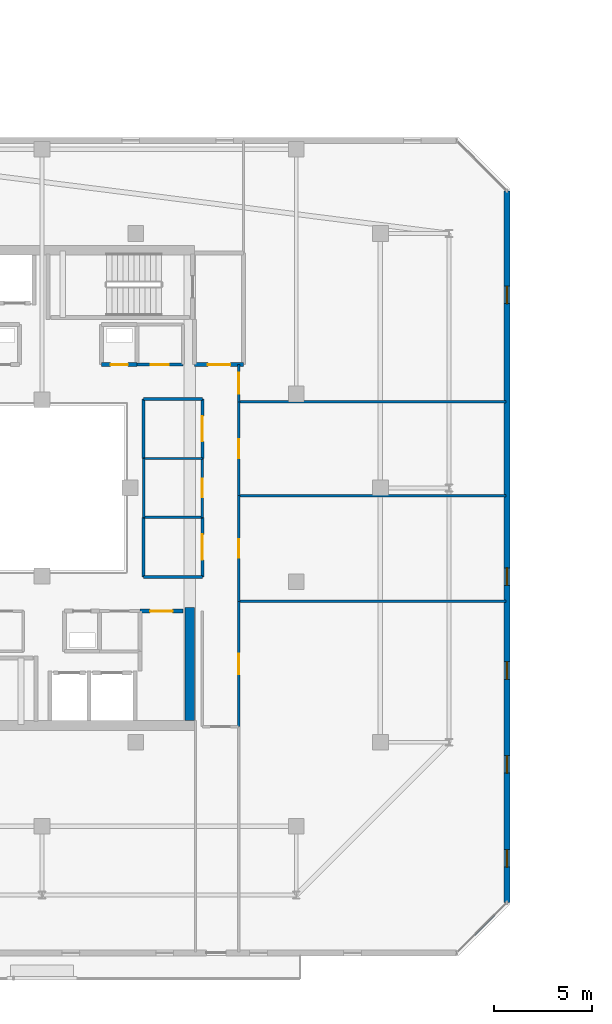
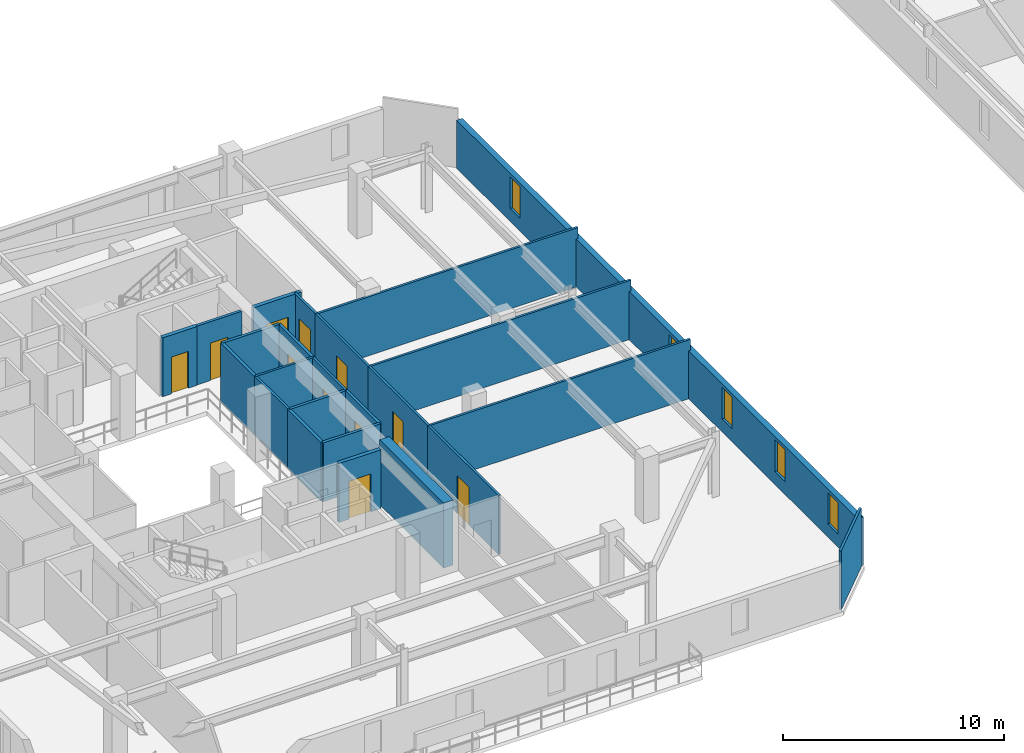
# One storey, part 23 of 35: 24 walls, 11 doors, 5 windows, 16 openings.
"""IFC4 building model written with IfcOpenShell, lengths in metres."""

from ifc_helpers import new_model, si_unit, direction, frame, frame_2d, origin, place, context, subcontext, project, spatial, rectangle, extrude, material, layer, layer_set, type_object, element, fill, save


model = new_model("IFC4")

# Units and contexts
model_context = context("Model", 3, precision=1e-05, world=origin(), true_north=direction((0.0, 1.0)))
body_context = subcontext(model_context, "Body", "Model", "MODEL_VIEW")
ifc_project = project(units=[si_unit("LENGTHUNIT", "METRE"), si_unit("AREAUNIT", "SQUARE_METRE"), si_unit("VOLUMEUNIT", "CUBIC_METRE"), si_unit("PLANEANGLEUNIT", "RADIAN"), si_unit("MASSUNIT", "GRAM", prefix="KILO")], contexts=[model_context])

# Site, building, storey
site_placement = place(None, origin())
site = spatial("IfcSite", under=ifc_project, at=site_placement, CompositionType="ELEMENT")
building_placement = place(site_placement, origin())
building = spatial("IfcBuilding", under=site, at=building_placement, Name="Thornwick Lancets Civic Towers", CompositionType="ELEMENT")
storey_placement = place(building_placement, frame((0.0, 0.0, 276.300048828125)))
storey = spatial("IfcBuildingStorey", under=building, at=storey_placement, Name="L74", CompositionType="ELEMENT", Elevation=276.300048828125)

# Wall, opening, door
ifc_material_1 = material(Name="Concrete blockwork C40/50", Category="masonry")
ifc_layer_1 = layer(ifc_material_1, 0.199951171875, Name="Concrete blockwork C40/50")
ifc_layer_set_1 = layer_set([ifc_layer_1], Name="Concrete blockwork C40/50")
wall_type_1 = type_object("IfcWallType", Name="WALL_COMP_200", PredefinedType="STANDARD", material=ifc_layer_set_1)
wall_1_placement = place(storey_placement, frame((33.300048828125, 33.300048828125, 0.0), z_axis=(0.0, 0.0, 1.0), x_axis=(1.0, 0.0, 0.0)))
wall_1 = element("IfcWall", 1, at=wall_1_placement, inside=storey, type_object=wall_type_1, Name="L74 Partition L74-A-FFLOB2 E1", PredefinedType="STANDARD", context=body_context, shape_type="SweptSolid", body=[
    extrude(rectangle(XDim=2.5, YDim=0.199951171875, at=frame_2d((1.25, 0.0))), origin(), (0.0, 0.0, 1.0), 3.260009765625),
])
opening_1_placement = place(wall_1_placement, frame((0.675048828125, 0.0, 0.0)))
opening_1 = element("IfcOpeningElement", 2, at=opening_1_placement, cuts=wall_1, Name="Opening D-L74-3386", PredefinedType="OPENING", context=body_context, shape_type="SweptSolid", body=[
    extrude(rectangle(XDim=1.14990234375, YDim=2.10009765625, at=frame_2d((0.574951171875, 1.050048828125))), frame((0.0, 0.10986328125, 0.0), z_axis=(0.0, -1.0, 0.0), x_axis=(1.0, 0.0, 0.0)), (0.0, 0.0, 1.0), 0.219970703125),
])
ifc_material_2 = material(Name="Glazed fire-resisting steel", Category="steel")
door_type_1 = type_object("IfcDoorType", Name="DOOR_LOBBY_FD60", OperationType="NOTDEFINED", PredefinedType="DOOR", material=ifc_material_2)
door_1_placement = place(opening_1_placement, origin())
door_1 = element("IfcDoor", 3, at=door_1_placement, inside=storey, type_object=door_type_1, Name="L74 North Firefighting Lobby 2 Door", OperationType="SINGLE_SWING_LEFT", OverallHeight=2.10009765625, OverallWidth=1.14990234375, PredefinedType="DOOR", context=body_context, shape_type="SweptSolid", body=[
    extrude(rectangle(XDim=1.14990234375, YDim=2.10009765625, at=frame_2d((0.574951171875, 1.050048828125))), frame((0.0, 0.02490234375, 0.0), z_axis=(0.0, -1.0, 0.0), x_axis=(1.0, 0.0, 0.0)), (0.0, 0.0, 1.0), 0.050048828125),
])
fill(opening_1, door_1)

wall_2_placement = place(storey_placement, frame((28.550048828125, 33.300048828125, 0.0), z_axis=(0.0, 0.0, 1.0), x_axis=(1.0, 0.0, 0.0)))
wall_2 = element("IfcWall", 4, at=wall_2_placement, inside=storey, type_object=wall_type_1, Name="L74 Partition L74-A-RISER2 E1", PredefinedType="STANDARD", context=body_context, shape_type="SweptSolid", body=[
    extrude(rectangle(XDim=1.800048828125, YDim=0.199951171875, at=frame_2d((0.89990234375, 0.0))), origin(), (0.0, 0.0, 1.0), 3.260009765625),
])
opening_2_placement = place(wall_2_placement, frame((0.4599609375, 0.0, 0.0)))
opening_2 = element("IfcOpeningElement", 5, at=opening_2_placement, cuts=wall_2, Name="Opening D-L74-3390", PredefinedType="OPENING", context=body_context, shape_type="SweptSolid", body=[
    extrude(rectangle(XDim=0.8798828125, YDim=2.0400390625, at=frame_2d((0.43994140625, 1.02001953125))), frame((0.0, 0.10986328125, 0.0), z_axis=(0.0, -1.0, 0.0), x_axis=(1.0, 0.0, 0.0)), (0.0, 0.0, 1.0), 0.219970703125),
])
ifc_material_3 = material(Name="Steel riser access doorset", Category="steel")
door_type_2 = type_object("IfcDoorType", Name="DOOR_RISER_850", OperationType="NOTDEFINED", PredefinedType="DOOR", material=ifc_material_3)
door_2_placement = place(opening_2_placement, origin())
door_2 = element("IfcDoor", 6, at=door_2_placement, inside=storey, type_object=door_type_2, Name="L74 North Service Riser 2 Door", OperationType="SINGLE_SWING_LEFT", OverallHeight=2.0400390625, OverallWidth=0.8798828125, PredefinedType="DOOR", context=body_context, shape_type="SweptSolid", body=[
    extrude(rectangle(XDim=0.8798828125, YDim=2.0400390625, at=frame_2d((0.43994140625, 1.02001953125))), frame((0.0, 0.02490234375, 0.0), z_axis=(0.0, -1.0, 0.0), x_axis=(1.0, 0.0, 0.0)), (0.0, 0.0, 1.0), 0.050048828125),
])
fill(opening_2, door_2)

wall_3_placement = place(storey_placement, frame((30.5, 20.699951171875, 0.0), z_axis=(0.0, 0.0, 1.0), x_axis=(1.0, 0.0, 0.0)))
wall_3 = element("IfcWall", 7, at=wall_3_placement, inside=storey, type_object=wall_type_1, Name="L74 Partition L74-A-STR2 E5", PredefinedType="STANDARD", context=body_context, shape_type="SweptSolid", body=[
    extrude(rectangle(XDim=2.199951171875, YDim=0.199951171875, at=frame_2d((1.10009765625, 0.0))), origin(), (0.0, 0.0, 1.0), 3.260009765625),
])
opening_3_placement = place(wall_3_placement, frame((0.52490234375, 0.0, 0.0)))
opening_3 = element("IfcOpeningElement", 8, at=opening_3_placement, cuts=wall_3, Name="Opening D-L74-3394", PredefinedType="OPENING", context=body_context, shape_type="SweptSolid", body=[
    extrude(rectangle(XDim=1.14990234375, YDim=2.10009765625, at=frame_2d((0.574951171875, 1.050048828125))), frame((0.0, 0.10986328125, 0.0), z_axis=(0.0, -1.0, 0.0), x_axis=(1.0, 0.0, 0.0)), (0.0, 0.0, 1.0), 0.219970703125),
])
door_3_placement = place(opening_3_placement, origin())
door_3 = element("IfcDoor", 9, at=door_3_placement, inside=storey, type_object=door_type_1, Name="L74 Tower A Core Supplies Store Door", OperationType="SINGLE_SWING_LEFT", OverallHeight=2.10009765625, OverallWidth=1.14990234375, PredefinedType="DOOR", context=body_context, shape_type="SweptSolid", body=[
    extrude(rectangle(XDim=1.14990234375, YDim=2.10009765625, at=frame_2d((0.574951171875, 1.050048828125))), frame((0.0, 0.02490234375, 0.0), z_axis=(0.0, -1.0, 0.0), x_axis=(1.0, 0.0, 0.0)), (0.0, 0.0, 1.0), 0.050048828125),
])
fill(opening_3, door_3)

# Wall
ifc_material_4 = material(Name="Concrete C50/60", Category="concrete")
ifc_layer_2 = layer(ifc_material_4, 0.5, Name="Concrete C50/60")
ifc_layer_set_2 = layer_set([ifc_layer_2], Name="Concrete C50/60")
wall_type_2 = type_object("IfcWallType", Name="WALL_CORE_500", PredefinedType="SHEAR", material=ifc_layer_set_2)
wall_4_placement = place(storey_placement, frame((33.050048828125, 15.10009765625, 0.0), z_axis=(0.0, 0.0, 1.0), x_axis=(0.0, 1.0, 0.0)))
element("IfcWall", 10, at=wall_4_placement, inside=storey, type_object=wall_type_2, Name="L74 Split Core A1 Shear Wall E", PredefinedType="SHEAR", context=body_context, shape_type="SweptSolid", body=[
    extrude(rectangle(XDim=5.7998046875, YDim=0.5, at=frame_2d((2.89990234375, 0.0))), origin(), (0.0, 0.0, 1.0), 3.599853515625),
])

# Wall, openings, windows
ifc_material_5 = material(Name="Insulated russet terracotta rainscreen on concrete C40/50", Category="masonry")
ifc_layer_3 = layer(ifc_material_5, 0.300048828125, Name="Insulated russet terracotta rainscreen on concrete C40/50")
ifc_layer_set_3 = layer_set([ifc_layer_3], Name="Insulated russet terracotta rainscreen on concrete C40/50")
wall_type_3 = type_object("IfcWallType", Name="WALL_EXT_RUSSET_300", PredefinedType="STANDARD", material=ifc_layer_set_3)
wall_5_placement = place(storey_placement, frame((49.2646484375, 5.818603515625, 0.0), z_axis=(0.0, 0.0, 1.0), x_axis=(0.0, 1.0, 0.0)))
wall_5 = element("IfcWall", 11, at=wall_5_placement, inside=storey, type_object=wall_type_3, Name="L74 Tower A Terracotta Facade Wall E2", PredefinedType="STANDARD", context=body_context, shape_type="SweptSolid", body=[
    extrude(rectangle(XDim=36.36279296875, YDim=0.300048828125, at=frame_2d((18.181396484375, 0.0))), origin(), (0.0, 0.0, 1.0), 2.659912109375),
])
opening_4_placement = place(wall_5_placement, frame((1.800048828125, 0.0, 0.719970703125)))
opening_4 = element("IfcOpeningElement", 12, at=opening_4_placement, cuts=wall_5, Name="Opening WL-01", PredefinedType="OPENING", context=body_context, shape_type="SweptSolid", body=[
    extrude(rectangle(XDim=0.89990234375, YDim=1.75, at=frame_2d((0.449951171875, 0.875))), frame((0.0, 0.16015625, 0.0), z_axis=(0.0, -1.0, 0.0), x_axis=(1.0, 0.0, 0.0)), (0.0, 0.0, 1.0), 0.320068359375),
])
opening_5_placement = place(wall_5_placement, frame((6.60009765625, 0.0, 0.719970703125)))
opening_5 = element("IfcOpeningElement", 13, at=opening_5_placement, cuts=wall_5, Name="Opening WL-01", PredefinedType="OPENING", context=body_context, shape_type="SweptSolid", body=[
    extrude(rectangle(XDim=0.89990234375, YDim=1.75, at=frame_2d((0.449951171875, 0.875))), frame((0.0, 0.16015625, 0.0), z_axis=(0.0, -1.0, 0.0), x_axis=(1.0, 0.0, 0.0)), (0.0, 0.0, 1.0), 0.320068359375),
])
opening_6_placement = place(wall_5_placement, frame((11.39990234375, 0.0, 0.719970703125)))
opening_6 = element("IfcOpeningElement", 14, at=opening_6_placement, cuts=wall_5, Name="Opening WL-01", PredefinedType="OPENING", context=body_context, shape_type="SweptSolid", body=[
    extrude(rectangle(XDim=0.89990234375, YDim=1.75, at=frame_2d((0.449951171875, 0.875))), frame((0.0, 0.16015625, 0.0), z_axis=(0.0, -1.0, 0.0), x_axis=(1.0, 0.0, 0.0)), (0.0, 0.0, 1.0), 0.320068359375),
])
opening_7_placement = place(wall_5_placement, frame((16.199951171875, 0.0, 0.719970703125)))
opening_7 = element("IfcOpeningElement", 15, at=opening_7_placement, cuts=wall_5, Name="Opening WL-01", PredefinedType="OPENING", context=body_context, shape_type="SweptSolid", body=[
    extrude(rectangle(XDim=0.89990234375, YDim=1.75, at=frame_2d((0.449951171875, 0.875))), frame((0.0, 0.16015625, 0.0), z_axis=(0.0, -1.0, 0.0), x_axis=(1.0, 0.0, 0.0)), (0.0, 0.0, 1.0), 0.320068359375),
])
opening_8_placement = place(wall_5_placement, frame((30.60009765625, 0.0, 0.719970703125)))
opening_8 = element("IfcOpeningElement", 16, at=opening_8_placement, cuts=wall_5, Name="Opening WL-01", PredefinedType="OPENING", context=body_context, shape_type="SweptSolid", body=[
    extrude(rectangle(XDim=0.89990234375, YDim=1.75, at=frame_2d((0.449951171875, 0.875))), frame((0.0, 0.16015625, 0.0), z_axis=(0.0, -1.0, 0.0), x_axis=(1.0, 0.0, 0.0)), (0.0, 0.0, 1.0), 0.320068359375),
])
ifc_material_6 = material(Name="Clear low-e double glazing in bronze frame", Category="glass")
window_type = type_object("IfcWindowType", Name="WIN_LANCET_900", PartitioningType="SINGLE_PANEL", PredefinedType="WINDOW", material=ifc_material_6)
window_1_placement = place(opening_4_placement, origin())
window_1 = element("IfcWindow", 17, at=window_1_placement, inside=storey, type_object=window_type, Name="L74 Tower A Staggered Lancet Window E2-1", OverallHeight=1.75, OverallWidth=0.89990234375, PartitioningType="SINGLE_PANEL", PredefinedType="WINDOW", context=body_context, shape_type="SweptSolid", body=[
    extrude(rectangle(XDim=0.89990234375, YDim=1.75, at=frame_2d((0.449951171875, 0.875))), frame((0.0, 0.030029296875, 0.0), z_axis=(0.0, -1.0, 0.0), x_axis=(1.0, 0.0, 0.0)), (0.0, 0.0, 1.0), 0.06005859375),
])
fill(opening_4, window_1)
window_2_placement = place(opening_5_placement, origin())
window_2 = element("IfcWindow", 18, at=window_2_placement, inside=storey, type_object=window_type, Name="L74 Tower A Staggered Lancet Window E2-2", OverallHeight=1.75, OverallWidth=0.89990234375, PartitioningType="SINGLE_PANEL", PredefinedType="WINDOW", context=body_context, shape_type="SweptSolid", body=[
    extrude(rectangle(XDim=0.89990234375, YDim=1.75, at=frame_2d((0.449951171875, 0.875))), frame((0.0, 0.030029296875, 0.0), z_axis=(0.0, -1.0, 0.0), x_axis=(1.0, 0.0, 0.0)), (0.0, 0.0, 1.0), 0.06005859375),
])
fill(opening_5, window_2)
window_3_placement = place(opening_6_placement, origin())
window_3 = element("IfcWindow", 19, at=window_3_placement, inside=storey, type_object=window_type, Name="L74 Tower A Staggered Lancet Window E2-3", OverallHeight=1.75, OverallWidth=0.89990234375, PartitioningType="SINGLE_PANEL", PredefinedType="WINDOW", context=body_context, shape_type="SweptSolid", body=[
    extrude(rectangle(XDim=0.89990234375, YDim=1.75, at=frame_2d((0.449951171875, 0.875))), frame((0.0, 0.030029296875, 0.0), z_axis=(0.0, -1.0, 0.0), x_axis=(1.0, 0.0, 0.0)), (0.0, 0.0, 1.0), 0.06005859375),
])
fill(opening_6, window_3)
window_4_placement = place(opening_7_placement, origin())
window_4 = element("IfcWindow", 20, at=window_4_placement, inside=storey, type_object=window_type, Name="L74 Tower A Staggered Lancet Window E2-4", OverallHeight=1.75, OverallWidth=0.89990234375, PartitioningType="SINGLE_PANEL", PredefinedType="WINDOW", context=body_context, shape_type="SweptSolid", body=[
    extrude(rectangle(XDim=0.89990234375, YDim=1.75, at=frame_2d((0.449951171875, 0.875))), frame((0.0, 0.030029296875, 0.0), z_axis=(0.0, -1.0, 0.0), x_axis=(1.0, 0.0, 0.0)), (0.0, 0.0, 1.0), 0.06005859375),
])
fill(opening_7, window_4)
window_5_placement = place(opening_8_placement, origin())
window_5 = element("IfcWindow", 21, at=window_5_placement, inside=storey, type_object=window_type, Name="L74 Tower A Staggered Lancet Window E2-5", OverallHeight=1.75, OverallWidth=0.89990234375, PartitioningType="SINGLE_PANEL", PredefinedType="WINDOW", context=body_context, shape_type="SweptSolid", body=[
    extrude(rectangle(XDim=0.89990234375, YDim=1.75, at=frame_2d((0.449951171875, 0.875))), frame((0.0, 0.030029296875, 0.0), z_axis=(0.0, -1.0, 0.0), x_axis=(1.0, 0.0, 0.0)), (0.0, 0.0, 1.0), 0.06005859375),
])
fill(opening_8, window_5)

# Wall, opening, door
ifc_material_7 = material(Name="Acoustic gypsum board partition")
ifc_layer_4 = layer(ifc_material_7, 0.1201171875, Name="Acoustic gypsum board partition")
ifc_layer_set_4 = layer_set([ifc_layer_4], Name="Acoustic gypsum board partition")
wall_type_4 = type_object("IfcWallType", Name="WALL_PART_120", PredefinedType="PARTITIONING", material=ifc_layer_set_4)
wall_6_placement = place(storey_placement, frame((35.550048828125, 14.800048828125, 0.0), z_axis=(0.0, 0.0, 1.0), x_axis=(0.0, 1.0, 0.0)))
wall_6 = element("IfcWall", 22, at=wall_6_placement, inside=storey, type_object=wall_type_4, Name="L74 Partition L74-A-E1 E3", PredefinedType="PARTITIONING", context=body_context, shape_type="SweptSolid", body=[
    extrude(rectangle(XDim=6.39990234375, YDim=0.1201171875, at=frame_2d((3.199951171875, 0.0))), origin(), (0.0, 0.0, 1.0), 3.260009765625),
])
opening_9_placement = place(wall_6_placement, frame((2.675048828125, 0.0, 0.0)))
opening_9 = element("IfcOpeningElement", 23, at=opening_9_placement, cuts=wall_6, Name="Opening D-L74-3418", PredefinedType="OPENING", context=body_context, shape_type="SweptSolid", body=[
    extrude(rectangle(XDim=1.050048828125, YDim=2.10009765625, at=frame_2d((0.52490234375, 1.050048828125))), frame((0.0, 0.070068359375, 0.0), z_axis=(0.0, -1.0, 0.0), x_axis=(1.0, 0.0, 0.0)), (0.0, 0.0, 1.0), 0.14013671875),
])
ifc_material_8 = material(Name="Glazed European oak executive doorset")
door_type_3 = type_object("IfcDoorType", Name="DOOR_OFFICE_1050", OperationType="NOTDEFINED", PredefinedType="DOOR", material=ifc_material_8)
door_4_placement = place(opening_9_placement, origin())
door_4 = element("IfcDoor", 24, at=door_4_placement, inside=storey, type_object=door_type_3, Name="L74 Tower A Secretariat Open Office E1 Door", OperationType="SINGLE_SWING_LEFT", OverallHeight=2.10009765625, OverallWidth=1.050048828125, PredefinedType="DOOR", context=body_context, shape_type="SweptSolid", body=[
    extrude(rectangle(XDim=1.050048828125, YDim=2.10009765625, at=frame_2d((0.52490234375, 1.050048828125))), frame((0.0, 0.02490234375, 0.0), z_axis=(0.0, -1.0, 0.0), x_axis=(1.0, 0.0, 0.0)), (0.0, 0.0, 1.0), 0.050048828125),
])
fill(opening_9, door_4)

# Walls
wall_7_placement = place(storey_placement, frame((35.550048828125, 21.199951171875, 0.0), z_axis=(0.0, 0.0, 1.0), x_axis=(1.0, 0.0, 0.0)))
element("IfcWall", 25, at=wall_7_placement, inside=storey, type_object=wall_type_4, Name="L74 Partition L74-A-E1 E4", PredefinedType="PARTITIONING", context=body_context, shape_type="SweptSolid", body=[
    extrude(rectangle(XDim=13.669921875, YDim=0.1201171875, at=frame_2d((6.8349609375, 0.0))), origin(), (0.0, 0.0, 1.0), 3.260009765625),
])
wall_8_placement = place(storey_placement, frame((49.219970703125, 5.774658203125, 0.0), z_axis=(0.0, 0.0, 1.0), x_axis=(-0.707106781187, -0.707106781187, 0.0)))
element("IfcWall", 26, at=wall_8_placement, inside=storey, type_object=wall_type_4, Name="L74 Partition L74-A-E1 E6", PredefinedType="PARTITIONING", context=body_context, shape_type="SweptSolid", body=[
    extrude(rectangle(XDim=3.52783203125, YDim=0.1201171875, at=frame_2d((1.763916015625, 0.0))), origin(), (0.0, 0.0, 1.0), 3.260009765625),
])

# Wall, opening, door
wall_9_placement = place(storey_placement, frame((35.550048828125, 21.199951171875, 0.0), z_axis=(0.0, 0.0, 1.0), x_axis=(0.0, 1.0, 0.0)))
wall_9 = element("IfcWall", 27, at=wall_9_placement, inside=storey, type_object=wall_type_4, Name="L74 Partition L74-A-E2 E1", PredefinedType="PARTITIONING", context=body_context, shape_type="SweptSolid", body=[
    extrude(rectangle(XDim=5.400146484375, YDim=0.1201171875, at=frame_2d((2.7001953125, 0.0))), origin(), (0.0, 0.0, 1.0), 3.260009765625),
])
opening_10_placement = place(wall_9_placement, frame((2.22509765625, 0.0, 0.0)))
opening_10 = element("IfcOpeningElement", 28, at=opening_10_placement, cuts=wall_9, Name="Opening D-L74-3419", PredefinedType="OPENING", context=body_context, shape_type="SweptSolid", body=[
    extrude(rectangle(XDim=0.949951171875, YDim=2.10009765625, at=frame_2d((0.47509765625, 1.050048828125))), frame((0.0, 0.070068359375, 0.0), z_axis=(0.0, -1.0, 0.0), x_axis=(1.0, 0.0, 0.0)), (0.0, 0.0, 1.0), 0.14013671875),
])
ifc_material_9 = material(Name="European oak acoustic doorset")
door_type_4 = type_object("IfcDoorType", Name="DOOR_OFFICE_950", OperationType="NOTDEFINED", PredefinedType="DOOR", material=ifc_material_9)
door_5_placement = place(opening_10_placement, origin())
door_5 = element("IfcDoor", 29, at=door_5_placement, inside=storey, type_object=door_type_4, Name="L74 Tower A Visitors Reception and Waiting Door", OperationType="SINGLE_SWING_RIGHT", OverallHeight=2.10009765625, OverallWidth=0.949951171875, PredefinedType="DOOR", context=body_context, shape_type="SweptSolid", body=[
    extrude(rectangle(XDim=0.949951171875, YDim=2.10009765625, at=frame_2d((0.47509765625, 1.050048828125))), frame((0.0, 0.02490234375, 0.0), z_axis=(0.0, -1.0, 0.0), x_axis=(1.0, 0.0, 0.0)), (0.0, 0.0, 1.0), 0.050048828125),
])
fill(opening_10, door_5)

# Wall
wall_10_placement = place(storey_placement, frame((35.550048828125, 26.60009765625, 0.0), z_axis=(0.0, 0.0, 1.0), x_axis=(1.0, 0.0, 0.0)))
element("IfcWall", 30, at=wall_10_placement, inside=storey, type_object=wall_type_4, Name="L74 Partition L74-A-E2 E2", PredefinedType="PARTITIONING", context=body_context, shape_type="SweptSolid", body=[
    extrude(rectangle(XDim=13.669921875, YDim=0.1201171875, at=frame_2d((6.8349609375, 0.0))), origin(), (0.0, 0.0, 1.0), 3.260009765625),
])

# Wall, opening, door
wall_11_placement = place(storey_placement, frame((35.550048828125, 26.60009765625, 0.0), z_axis=(0.0, 0.0, 1.0), x_axis=(0.0, 1.0, 0.0)))
wall_11 = element("IfcWall", 31, at=wall_11_placement, inside=storey, type_object=wall_type_4, Name="L74 Partition L74-A-E3 E1", PredefinedType="PARTITIONING", context=body_context, shape_type="SweptSolid", body=[
    extrude(rectangle(XDim=4.7998046875, YDim=0.1201171875, at=frame_2d((2.39990234375, 0.0))), origin(), (0.0, 0.0, 1.0), 3.260009765625),
])
opening_11_placement = place(wall_11_placement, frame((1.925048828125, 0.0, 0.0)))
opening_11 = element("IfcOpeningElement", 32, at=opening_11_placement, cuts=wall_11, Name="Opening D-L74-3420", PredefinedType="OPENING", context=body_context, shape_type="SweptSolid", body=[
    extrude(rectangle(XDim=0.949951171875, YDim=2.10009765625, at=frame_2d((0.47509765625, 1.050048828125))), frame((0.0, 0.070068359375, 0.0), z_axis=(0.0, -1.0, 0.0), x_axis=(1.0, 0.0, 0.0)), (0.0, 0.0, 1.0), 0.14013671875),
])
door_6_placement = place(opening_11_placement, origin())
door_6 = element("IfcDoor", 33, at=door_6_placement, inside=storey, type_object=door_type_4, Name="L74 Tower A Civic Seminar Room Door", OperationType="SINGLE_SWING_LEFT", OverallHeight=2.10009765625, OverallWidth=0.949951171875, PredefinedType="DOOR", context=body_context, shape_type="SweptSolid", body=[
    extrude(rectangle(XDim=0.949951171875, YDim=2.10009765625, at=frame_2d((0.47509765625, 1.050048828125))), frame((0.0, 0.02490234375, 0.0), z_axis=(0.0, -1.0, 0.0), x_axis=(1.0, 0.0, 0.0)), (0.0, 0.0, 1.0), 0.050048828125),
])
fill(opening_11, door_6)

# Wall
wall_12_placement = place(storey_placement, frame((35.550048828125, 31.39990234375, 0.0), z_axis=(0.0, 0.0, 1.0), x_axis=(1.0, 0.0, 0.0)))
element("IfcWall", 34, at=wall_12_placement, inside=storey, type_object=wall_type_4, Name="L74 Partition L74-A-E3 E2", PredefinedType="PARTITIONING", context=body_context, shape_type="SweptSolid", body=[
    extrude(rectangle(XDim=13.669921875, YDim=0.1201171875, at=frame_2d((6.8349609375, 0.0))), origin(), (0.0, 0.0, 1.0), 3.260009765625),
])

# Wall, opening, door
wall_13_placement = place(storey_placement, frame((35.550048828125, 31.39990234375, 0.0), z_axis=(0.0, 0.0, 1.0), x_axis=(0.0, 1.0, 0.0)))
wall_13 = element("IfcWall", 35, at=wall_13_placement, inside=storey, type_object=wall_type_4, Name="L74 Partition L74-A-E4 E8", PredefinedType="PARTITIONING", context=body_context, shape_type="SweptSolid", body=[
    extrude(rectangle(XDim=1.900146484375, YDim=0.1201171875, at=frame_2d((0.9501953125, 0.0))), origin(), (0.0, 0.0, 1.0), 3.260009765625),
])
opening_12_placement = place(wall_13_placement, frame((0.425048828125, 0.0, 0.0)))
opening_12 = element("IfcOpeningElement", 36, at=opening_12_placement, cuts=wall_13, Name="Opening D-L74-3421", PredefinedType="OPENING", context=body_context, shape_type="SweptSolid", body=[
    extrude(rectangle(XDim=1.050048828125, YDim=2.10009765625, at=frame_2d((0.52490234375, 1.050048828125))), frame((0.0, 0.070068359375, 0.0), z_axis=(0.0, -1.0, 0.0), x_axis=(1.0, 0.0, 0.0)), (0.0, 0.0, 1.0), 0.14013671875),
])
door_7_placement = place(opening_12_placement, origin())
door_7 = element("IfcDoor", 37, at=door_7_placement, inside=storey, type_object=door_type_3, Name="L74 Tower A Legislative Drafting Suite E4 Door", OperationType="SINGLE_SWING_RIGHT", OverallHeight=2.10009765625, OverallWidth=1.050048828125, PredefinedType="DOOR", context=body_context, shape_type="SweptSolid", body=[
    extrude(rectangle(XDim=1.050048828125, YDim=2.10009765625, at=frame_2d((0.52490234375, 1.050048828125))), frame((0.0, 0.02490234375, 0.0), z_axis=(0.0, -1.0, 0.0), x_axis=(1.0, 0.0, 0.0)), (0.0, 0.0, 1.0), 0.050048828125),
])
fill(opening_12, door_7)

# Walls
for number, where, z_axis, x_axis, name in (
    (38, (30.699951171875, 25.5, 0.0), (0.0, 0.0, 1.0), (0.0, 1.0, 0.0), "L74 Partition L74-A-E-ATR-2 E1"),
    (39, (30.699951171875, 28.5, 0.0), (0.0, 0.0, 1.0), (1.0, 0.0, 0.0), "L74 Partition L74-A-E-ATR-2 E2"),
):
    element("IfcWall", number, at=place(storey_placement, frame(where, z_axis=z_axis, x_axis=x_axis)), inside=storey, type_object=wall_type_4, Name=name, PredefinedType="PARTITIONING", context=body_context, shape_type="SweptSolid", body=[
        extrude(rectangle(XDim=3.0, YDim=0.1201171875, at=frame_2d((1.5, 0.0))), origin(), (0.0, 0.0, 1.0), 3.260009765625),
    ])

# Wall, opening, door
wall_14_placement = place(storey_placement, frame((33.699951171875, 28.5, 0.0), z_axis=(0.0, 0.0, 1.0), x_axis=(0.0, -1.0, 0.0)))
wall_14 = element("IfcWall", 40, at=wall_14_placement, inside=storey, type_object=wall_type_4, Name="L74 Partition L74-A-E-ATR-2 E3", PredefinedType="PARTITIONING", context=body_context, shape_type="SweptSolid", body=[
    extrude(rectangle(XDim=3.0, YDim=0.1201171875, at=frame_2d((1.5, 0.0))), origin(), (0.0, 0.0, 1.0), 3.260009765625),
])
opening_13_placement = place(wall_14_placement, frame((1.02490234375, 0.0, 0.0)))
opening_13 = element("IfcOpeningElement", 41, at=opening_13_placement, cuts=wall_14, Name="Opening D-L74-3423", PredefinedType="OPENING", context=body_context, shape_type="SweptSolid", body=[
    extrude(rectangle(XDim=0.949951171875, YDim=2.10009765625, at=frame_2d((0.47509765625, 1.050048828125))), frame((0.0, 0.070068359375, 0.0), z_axis=(0.0, -1.0, 0.0), x_axis=(1.0, 0.0, 0.0)), (0.0, 0.0, 1.0), 0.14013671875),
])
door_8_placement = place(opening_13_placement, origin())
door_8 = element("IfcDoor", 42, at=door_8_placement, inside=storey, type_object=door_type_4, Name="L74 Tower A Atrium Research Suite Door", OperationType="SINGLE_SWING_RIGHT", OverallHeight=2.10009765625, OverallWidth=0.949951171875, PredefinedType="DOOR", context=body_context, shape_type="SweptSolid", body=[
    extrude(rectangle(XDim=0.949951171875, YDim=2.10009765625, at=frame_2d((0.47509765625, 1.050048828125))), frame((0.0, 0.02490234375, 0.0), z_axis=(0.0, -1.0, 0.0), x_axis=(1.0, 0.0, 0.0)), (0.0, 0.0, 1.0), 0.050048828125),
])
fill(opening_13, door_8)

ifc_material_10 = material(Name="Twin-stud acoustic gypsum board")
ifc_layer_5 = layer(ifc_material_10, 0.14990234375, Name="Twin-stud acoustic gypsum board")
ifc_layer_set_5 = layer_set([ifc_layer_5], Name="Twin-stud acoustic gypsum board")
wall_type_5 = type_object("IfcWallType", Name="WALL_PART_150", PredefinedType="PARTITIONING", material=ifc_layer_set_5)
wall_15_placement = place(storey_placement, frame((32.699951171875, 33.300048828125, 0.0), z_axis=(0.0, 0.0, 1.0), x_axis=(-1.0, 0.0, 0.0)))
wall_15 = element("IfcWall", 43, at=wall_15_placement, inside=storey, type_object=wall_type_5, Name="L74 Partition L74-A-FWC E2", PredefinedType="PARTITIONING", context=body_context, shape_type="SweptSolid", body=[
    extrude(rectangle(XDim=2.349853515625, YDim=0.14990234375, at=frame_2d((1.1748046875, 0.0))), origin(), (0.0, 0.0, 1.0), 3.260009765625),
])
opening_14_placement = place(wall_15_placement, frame((0.715087890625, 0.0, 0.0)))
opening_14 = element("IfcOpeningElement", 44, at=opening_14_placement, cuts=wall_15, Name="Opening D-L74-3396", PredefinedType="OPENING", context=body_context, shape_type="SweptSolid", body=[
    extrude(rectangle(XDim=0.919921875, YDim=2.080078125, at=frame_2d((0.4599609375, 1.0400390625))), frame((0.0, 0.0849609375, 0.0), z_axis=(0.0, -1.0, 0.0), x_axis=(1.0, 0.0, 0.0)), (0.0, 0.0, 1.0), 0.169921875),
])
ifc_material_11 = material(Name="Moisture-resistant oak doorset")
door_type_5 = type_object("IfcDoorType", Name="DOOR_WC_900", OperationType="NOTDEFINED", PredefinedType="DOOR", material=ifc_material_11)
door_9_placement = place(opening_14_placement, origin())
door_9 = element("IfcDoor", 45, at=door_9_placement, inside=storey, type_object=door_type_5, Name="L74 Tower A Female WC Door", OperationType="SINGLE_SWING_LEFT", OverallHeight=2.080078125, OverallWidth=0.919921875, PredefinedType="DOOR", context=body_context, shape_type="SweptSolid", body=[
    extrude(rectangle(XDim=0.919921875, YDim=2.080078125, at=frame_2d((0.4599609375, 1.0400390625))), frame((0.0, 0.02490234375, 0.0), z_axis=(0.0, -1.0, 0.0), x_axis=(1.0, 0.0, 0.0)), (0.0, 0.0, 1.0), 0.050048828125),
])
fill(opening_14, door_9)

# Walls
wall_16_placement = place(storey_placement, frame((30.699951171875, 22.449951171875, 0.0), z_axis=(0.0, 0.0, 1.0), x_axis=(0.0, 1.0, 0.0)))
element("IfcWall", 46, at=wall_16_placement, inside=storey, type_object=wall_type_5, Name="L74 Partition L74-A-E-ATR-1 E1", PredefinedType="PARTITIONING", context=body_context, shape_type="SweptSolid", body=[
    extrude(rectangle(XDim=3.050048828125, YDim=0.14990234375, at=frame_2d((1.52490234375, 0.0))), origin(), (0.0, 0.0, 1.0), 3.260009765625),
])
wall_17_placement = place(storey_placement, frame((30.699951171875, 25.5, 0.0), z_axis=(0.0, 0.0, 1.0), x_axis=(1.0, 0.0, 0.0)))
element("IfcWall", 47, at=wall_17_placement, inside=storey, type_object=wall_type_5, Name="L74 Partition L74-A-E-ATR-1 E2", PredefinedType="PARTITIONING", context=body_context, shape_type="SweptSolid", body=[
    extrude(rectangle(XDim=3.0, YDim=0.14990234375, at=frame_2d((1.5, 0.0))), origin(), (0.0, 0.0, 1.0), 3.260009765625),
])

# Wall, opening, door
wall_18_placement = place(storey_placement, frame((33.699951171875, 25.5, 0.0), z_axis=(0.0, 0.0, 1.0), x_axis=(0.0, -1.0, 0.0)))
wall_18 = element("IfcWall", 48, at=wall_18_placement, inside=storey, type_object=wall_type_5, Name="L74 Partition L74-A-E-ATR-1 E3", PredefinedType="PARTITIONING", context=body_context, shape_type="SweptSolid", body=[
    extrude(rectangle(XDim=3.050048828125, YDim=0.14990234375, at=frame_2d((1.52490234375, 0.0))), origin(), (0.0, 0.0, 1.0), 3.260009765625),
])
opening_15_placement = place(wall_18_placement, frame((0.875, 0.0, 0.0)))
opening_15 = element("IfcOpeningElement", 49, at=opening_15_placement, cuts=wall_18, Name="Opening D-L74-3422", PredefinedType="OPENING", context=body_context, shape_type="SweptSolid", body=[
    extrude(rectangle(XDim=1.300048828125, YDim=2.1201171875, at=frame_2d((0.64990234375, 1.06005859375))), frame((0.0, 0.0849609375, 0.0), z_axis=(0.0, -1.0, 0.0), x_axis=(1.0, 0.0, 0.0)), (0.0, 0.0, 1.0), 0.169921875),
])
ifc_material_12 = material(Name="Acoustic oak leaf-and-a-half doorset")
door_type_6 = type_object("IfcDoorType", Name="DOOR_MEET_1300", OperationType="DOUBLE_DOOR_SINGLE_SWING", PredefinedType="DOOR", material=ifc_material_12)
door_10_placement = place(opening_15_placement, origin())
door_10 = element("IfcDoor", 50, at=door_10_placement, inside=storey, type_object=door_type_6, Name="L74 Tower A Atrium Briefing Room Door", OperationType="DOUBLE_DOOR_SINGLE_SWING", OverallHeight=2.1201171875, OverallWidth=1.300048828125, PredefinedType="DOOR", context=body_context, shape_type="SweptSolid", body=[
    extrude(rectangle(XDim=1.300048828125, YDim=2.1201171875, at=frame_2d((0.64990234375, 1.06005859375))), frame((0.0, 0.02490234375, 0.0), z_axis=(0.0, -1.0, 0.0), x_axis=(1.0, 0.0, 0.0)), (0.0, 0.0, 1.0), 0.050048828125),
])
fill(opening_15, door_10)

# Walls
wall_19_placement = place(storey_placement, frame((33.699951171875, 22.449951171875, 0.0), z_axis=(0.0, 0.0, 1.0), x_axis=(-1.0, 0.0, 0.0)))
element("IfcWall", 51, at=wall_19_placement, inside=storey, type_object=wall_type_5, Name="L74 Partition L74-A-E-ATR-1 E4", PredefinedType="PARTITIONING", context=body_context, shape_type="SweptSolid", body=[
    extrude(rectangle(XDim=3.0, YDim=0.14990234375, at=frame_2d((1.5, 0.0))), origin(), (0.0, 0.0, 1.0), 3.260009765625),
])
wall_20_placement = place(storey_placement, frame((30.699951171875, 28.5, 0.0), z_axis=(0.0, 0.0, 1.0), x_axis=(0.0, 1.0, 0.0)))
element("IfcWall", 52, at=wall_20_placement, inside=storey, type_object=wall_type_5, Name="L74 Partition L74-A-E-ATR-3 E1", PredefinedType="PARTITIONING", context=body_context, shape_type="SweptSolid", body=[
    extrude(rectangle(XDim=3.050048828125, YDim=0.14990234375, at=frame_2d((1.52490234375, 0.0))), origin(), (0.0, 0.0, 1.0), 3.260009765625),
])
wall_21_placement = place(storey_placement, frame((30.699951171875, 31.550048828125, 0.0), z_axis=(0.0, 0.0, 1.0), x_axis=(1.0, 0.0, 0.0)))
element("IfcWall", 53, at=wall_21_placement, inside=storey, type_object=wall_type_5, Name="L74 Partition L74-A-E-ATR-3 E2", PredefinedType="PARTITIONING", context=body_context, shape_type="SweptSolid", body=[
    extrude(rectangle(XDim=3.0, YDim=0.14990234375, at=frame_2d((1.5, 0.0))), origin(), (0.0, 0.0, 1.0), 3.260009765625),
])

# Wall, opening, door
wall_22_placement = place(storey_placement, frame((33.699951171875, 31.550048828125, 0.0), z_axis=(0.0, 0.0, 1.0), x_axis=(0.0, -1.0, 0.0)))
wall_22 = element("IfcWall", 54, at=wall_22_placement, inside=storey, type_object=wall_type_5, Name="L74 Partition L74-A-E-ATR-3 E3", PredefinedType="PARTITIONING", context=body_context, shape_type="SweptSolid", body=[
    extrude(rectangle(XDim=3.050048828125, YDim=0.14990234375, at=frame_2d((1.52490234375, 0.0))), origin(), (0.0, 0.0, 1.0), 3.260009765625),
])
opening_16_placement = place(wall_22_placement, frame((0.875, 0.0, 0.0)))
opening_16 = element("IfcOpeningElement", 55, at=opening_16_placement, cuts=wall_22, Name="Opening D-L74-3424", PredefinedType="OPENING", context=body_context, shape_type="SweptSolid", body=[
    extrude(rectangle(XDim=1.300048828125, YDim=2.1201171875, at=frame_2d((0.64990234375, 1.06005859375))), frame((0.0, 0.0849609375, 0.0), z_axis=(0.0, -1.0, 0.0), x_axis=(1.0, 0.0, 0.0)), (0.0, 0.0, 1.0), 0.169921875),
])
door_11_placement = place(opening_16_placement, origin())
door_11 = element("IfcDoor", 56, at=door_11_placement, inside=storey, type_object=door_type_6, Name="L74 Tower A Atrium Consultation Chamber Door", OperationType="DOUBLE_DOOR_SINGLE_SWING", OverallHeight=2.1201171875, OverallWidth=1.300048828125, PredefinedType="DOOR", context=body_context, shape_type="SweptSolid", body=[
    extrude(rectangle(XDim=1.300048828125, YDim=2.1201171875, at=frame_2d((0.64990234375, 1.06005859375))), frame((0.0, 0.02490234375, 0.0), z_axis=(0.0, -1.0, 0.0), x_axis=(1.0, 0.0, 0.0)), (0.0, 0.0, 1.0), 0.050048828125),
])
fill(opening_16, door_11)

save(model, "model.ifc")
